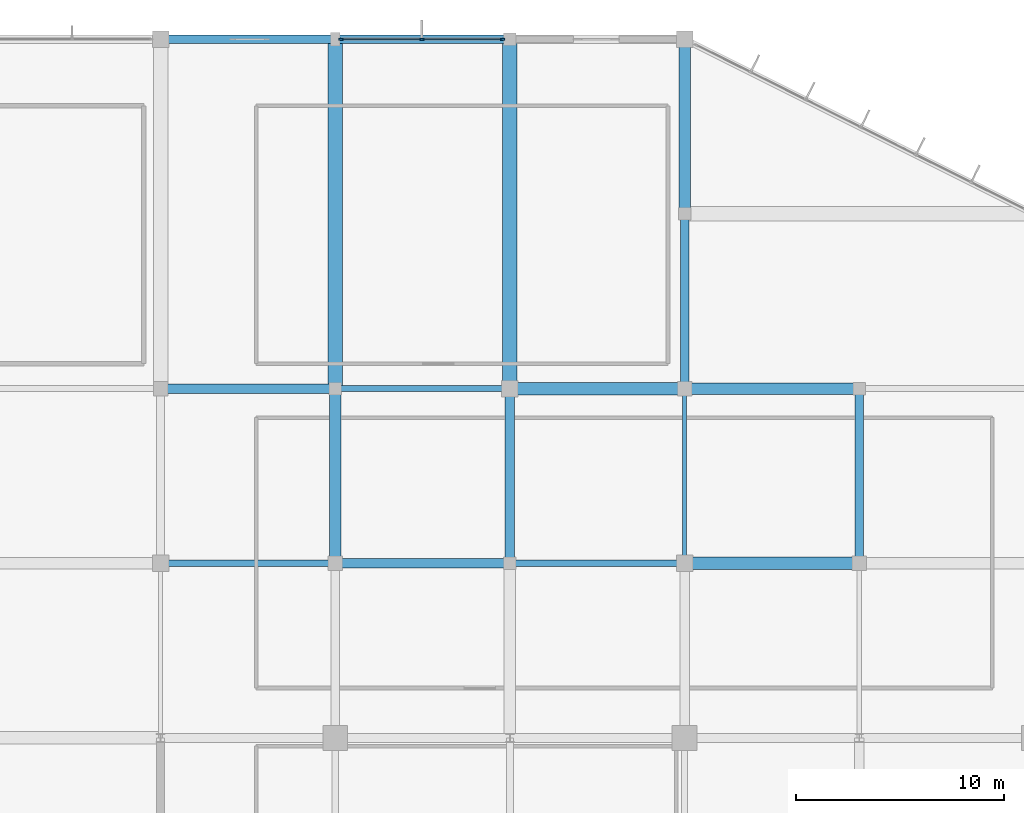
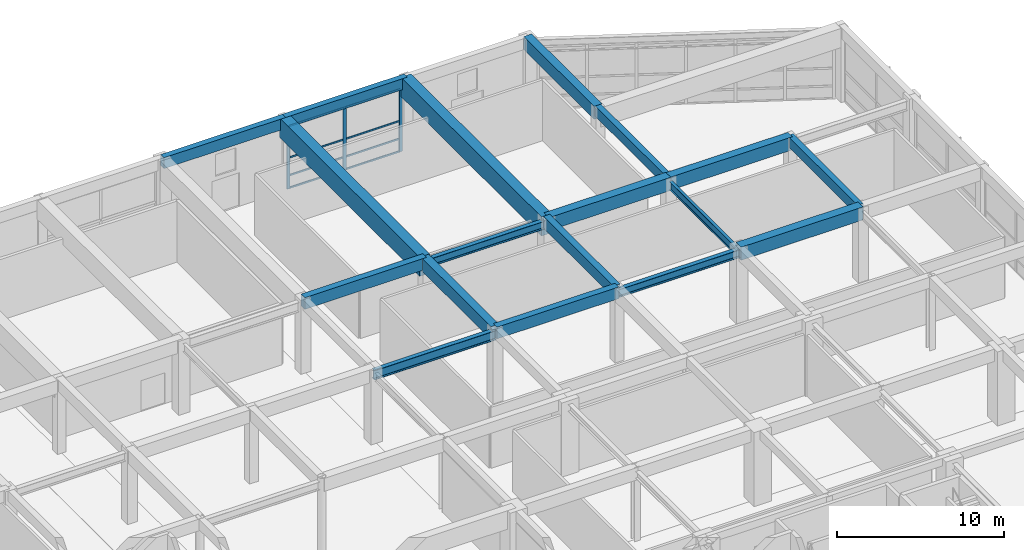
# One storey, part 34 of 62: 18 beams, 11 members, 1 element without a shape of its own.
"""IFC4 building model written with IfcOpenShell, lengths in metres."""

from ifc_helpers import new_model, si_unit, direction, frame, origin, origin_2d, place, context, subcontext, project, spatial, rectangle, i_section, extrude, material, material_profile, profile_set, type_object, element, aggregate, save


model = new_model("IFC4")

# Units and contexts
model_context = context("Model", 3, precision=1e-05, world=origin(), true_north=direction((0.0, 1.0)))
body_context = subcontext(model_context, "Body", "Model", "MODEL_VIEW")
ifc_project = project(units=[si_unit("LENGTHUNIT", "METRE"), si_unit("AREAUNIT", "SQUARE_METRE"), si_unit("VOLUMEUNIT", "CUBIC_METRE"), si_unit("PLANEANGLEUNIT", "RADIAN"), si_unit("MASSUNIT", "GRAM", prefix="KILO")], contexts=[model_context])

# Site, building, storey
site_placement = place(None, origin())
site = spatial("IfcSite", under=ifc_project, at=site_placement, CompositionType="ELEMENT")
building_placement = place(site_placement, origin())
building = spatial("IfcBuilding", under=site, at=building_placement, Name="Xuanlan Plaza Opera House", CompositionType="ELEMENT")
storey_placement = place(building_placement, origin())
storey = spatial("IfcBuildingStorey", under=building, at=storey_placement, Name="L00", CompositionType="ELEMENT", Elevation=0.0)

# Curtain wall, members
ifc_material_1 = material(Name="Anodised Aluminium 6063-T6 and Low-E Glass", Category="aluminium")
curtain_wall_type = type_object("IfcCurtainWallType", Name="ENV-CW-CW-02", PredefinedType="USERDEFINED", material=ifc_material_1)
curtain_wall_placement = place(storey_placement, origin())
curtain_wall = element("IfcCurtainWall", 1, at=curtain_wall_placement, inside=storey, type_object=curtain_wall_type, Name="Unitised Curtain Wall L00-032", ObjectType="UNITISED CURTAIN WALL", PredefinedType="USERDEFINED")
ifc_material_2 = material(Name="Anodised Aluminium 6063-T6", Category="aluminium")
ifc_material_profile_1 = material_profile(ifc_material_2, rectangle(XDim=0.080078125, YDim=0.219970703125, at=origin_2d()), Name="ALU-M 80x220")
ifc_profile_set_1 = profile_set([ifc_material_profile_1], Name="Anodised Aluminium 6063-T6")
member_type_1 = type_object("IfcMemberType", Name="ENV-CWM-04", PredefinedType="MULLION", material=ifc_profile_set_1)
member_1_placement = place(storey_placement, frame((142.43994140625, 117.60009765625, 0.0), z_axis=(0.0, 0.0, 1.0), x_axis=(0.0, -1.0, 0.0)))
member_1 = element("IfcMember", 2, at=member_1_placement, type_object=member_type_1, Name="CW-02 mullion 1", PredefinedType="MULLION", context=body_context, shape_type="SweptSolid", body=[
    extrude(rectangle(XDim=0.080078125, YDim=0.219970703125, at=origin_2d()), origin(), (0.0, 0.0, 1.0), 4.580078125),
])
member_2_placement = place(storey_placement, frame((138.5625, 117.60009765625, 0.0), z_axis=(0.0, 0.0, 1.0), x_axis=(0.0, -1.0, 0.0)))
member_2 = element("IfcMember", 3, at=member_2_placement, type_object=member_type_1, Name="CW-02 mullion 2", PredefinedType="MULLION", context=body_context, shape_type="SweptSolid", body=[
    extrude(rectangle(XDim=0.080078125, YDim=0.219970703125, at=origin_2d()), origin(), (0.0, 0.0, 1.0), 4.580078125),
])
member_3_placement = place(storey_placement, frame((134.68505859375, 117.60009765625, 0.0), z_axis=(0.0, 0.0, 1.0), x_axis=(0.0, -1.0, 0.0)))
member_3 = element("IfcMember", 4, at=member_3_placement, type_object=member_type_1, Name="CW-02 mullion 3", PredefinedType="MULLION", context=body_context, shape_type="SweptSolid", body=[
    extrude(rectangle(XDim=0.080078125, YDim=0.219970703125, at=origin_2d()), origin(), (0.0, 0.0, 1.0), 4.580078125),
])
ifc_material_profile_2 = material_profile(ifc_material_2, rectangle(XDim=0.06494140625, YDim=0.1201171875, at=origin_2d()), Name="ALU-T 65x120")
ifc_profile_set_2 = profile_set([ifc_material_profile_2], Name="Anodised Aluminium 6063-T6")
member_type_2 = type_object("IfcMemberType", Name="ENV-CWT-01", PredefinedType="USERDEFINED", material=ifc_profile_set_2)
member_4_placement = place(storey_placement, frame((142.39990234375, 117.60009765625, 0.032470703125), z_axis=(-1.0, 0.0, 0.0), x_axis=(0.0, -1.0, 0.0)))
member_4 = element("IfcMember", 5, at=member_4_placement, type_object=member_type_2, Name="CW-02 transom 1.1", ObjectType="TRANSOM", PredefinedType="USERDEFINED", context=body_context, shape_type="SweptSolid", body=[
    extrude(rectangle(XDim=0.06494140625, YDim=0.1201171875, at=origin_2d()), origin(), (0.0, 0.0, 1.0), 3.79736328125),
])
member_5_placement = place(storey_placement, frame((142.39990234375, 117.60009765625, 0.949951171875), z_axis=(-1.0, 0.0, 0.0), x_axis=(0.0, -1.0, 0.0)))
member_5 = element("IfcMember", 6, at=member_5_placement, type_object=member_type_2, Name="CW-02 transom 1.2", ObjectType="TRANSOM", PredefinedType="USERDEFINED", context=body_context, shape_type="SweptSolid", body=[
    extrude(rectangle(XDim=0.06494140625, YDim=0.1201171875, at=origin_2d()), origin(), (0.0, 0.0, 1.0), 3.79736328125),
])
member_6_placement = place(storey_placement, frame((142.39990234375, 117.60009765625, 2.25), z_axis=(-1.0, 0.0, 0.0), x_axis=(0.0, -1.0, 0.0)))
member_6 = element("IfcMember", 7, at=member_6_placement, type_object=member_type_2, Name="CW-02 transom 1.3", ObjectType="TRANSOM", PredefinedType="USERDEFINED", context=body_context, shape_type="SweptSolid", body=[
    extrude(rectangle(XDim=0.06494140625, YDim=0.1201171875, at=origin_2d()), origin(), (0.0, 0.0, 1.0), 3.79736328125),
])
member_7_placement = place(storey_placement, frame((142.39990234375, 117.60009765625, 4.547607421875), z_axis=(-1.0, 0.0, 0.0), x_axis=(0.0, -1.0, 0.0)))
member_7 = element("IfcMember", 8, at=member_7_placement, type_object=member_type_2, Name="CW-02 transom 1.4", ObjectType="TRANSOM", PredefinedType="USERDEFINED", context=body_context, shape_type="SweptSolid", body=[
    extrude(rectangle(XDim=0.06494140625, YDim=0.1201171875, at=origin_2d()), origin(), (0.0, 0.0, 1.0), 3.79736328125),
])
member_8_placement = place(storey_placement, frame((138.5224609375, 117.60009765625, 0.032470703125), z_axis=(-1.0, 0.0, 0.0), x_axis=(0.0, -1.0, 0.0)))
member_8 = element("IfcMember", 9, at=member_8_placement, type_object=member_type_2, Name="CW-02 transom 2.1", ObjectType="TRANSOM", PredefinedType="USERDEFINED", context=body_context, shape_type="SweptSolid", body=[
    extrude(rectangle(XDim=0.06494140625, YDim=0.1201171875, at=origin_2d()), origin(), (0.0, 0.0, 1.0), 3.79736328125),
])
member_9_placement = place(storey_placement, frame((138.5224609375, 117.60009765625, 0.949951171875), z_axis=(-1.0, 0.0, 0.0), x_axis=(0.0, -1.0, 0.0)))
member_9 = element("IfcMember", 10, at=member_9_placement, type_object=member_type_2, Name="CW-02 transom 2.2", ObjectType="TRANSOM", PredefinedType="USERDEFINED", context=body_context, shape_type="SweptSolid", body=[
    extrude(rectangle(XDim=0.06494140625, YDim=0.1201171875, at=origin_2d()), origin(), (0.0, 0.0, 1.0), 3.79736328125),
])
member_10_placement = place(storey_placement, frame((138.5224609375, 117.60009765625, 2.25), z_axis=(-1.0, 0.0, 0.0), x_axis=(0.0, -1.0, 0.0)))
member_10 = element("IfcMember", 11, at=member_10_placement, type_object=member_type_2, Name="CW-02 transom 2.3", ObjectType="TRANSOM", PredefinedType="USERDEFINED", context=body_context, shape_type="SweptSolid", body=[
    extrude(rectangle(XDim=0.06494140625, YDim=0.1201171875, at=origin_2d()), origin(), (0.0, 0.0, 1.0), 3.79736328125),
])
member_11_placement = place(storey_placement, frame((138.5224609375, 117.60009765625, 4.547607421875), z_axis=(-1.0, 0.0, 0.0), x_axis=(0.0, -1.0, 0.0)))
member_11 = element("IfcMember", 12, at=member_11_placement, type_object=member_type_2, Name="CW-02 transom 2.4", ObjectType="TRANSOM", PredefinedType="USERDEFINED", context=body_context, shape_type="SweptSolid", body=[
    extrude(rectangle(XDim=0.06494140625, YDim=0.1201171875, at=origin_2d()), origin(), (0.0, 0.0, 1.0), 3.79736328125),
])
aggregate(curtain_wall, [member_1, member_2, member_3, member_4, member_5, member_6, member_7, member_8, member_9, member_10, member_11])

# Beams
ifc_material_3 = material(Name="Concrete C50", Category="concrete")
ifc_material_profile_3 = material_profile(ifc_material_3, rectangle(XDim=0.60009765625, YDim=0.949951171875, at=origin_2d()), Name="RC-BM 600x950")
ifc_profile_set_3 = profile_set([ifc_material_profile_3], Name="Concrete C50")
beam_type_1 = type_object("IfcBeamType", Name="STR-BM-B-01", PredefinedType="BEAM", material=ifc_profile_set_3)
beam_1_placement = place(storey_placement, frame((151.199951171875, 92.39990234375, 4.925048828125), z_axis=(1.0, 0.0, 0.0), x_axis=(0.0, 1.0, 0.0)))
element("IfcBeam", 13, at=beam_1_placement, inside=storey, type_object=beam_type_1, Name="Grid Beam X L00 19-20/L", PredefinedType="BEAM", context=body_context, shape_type="SweptSolid", body=[
    extrude(rectangle(XDim=0.60009765625, YDim=0.949951171875, at=origin_2d()), origin(), (0.0, 0.0, 1.0), 8.400146484375),
])
beam_2_placement = place(storey_placement, frame((142.800048828125, 100.800048828125, 4.925048828125), z_axis=(1.0, 0.0, 0.0), x_axis=(0.0, 1.0, 0.0)))
element("IfcBeam", 14, at=beam_2_placement, inside=storey, type_object=beam_type_1, Name="Grid Beam X L00 18-19/M", PredefinedType="BEAM", context=body_context, shape_type="SweptSolid", body=[
    extrude(rectangle(XDim=0.60009765625, YDim=0.949951171875, at=origin_2d()), origin(), (0.0, 0.0, 1.0), 8.39990234375),
])
ifc_material_profile_4 = material_profile(ifc_material_3, rectangle(XDim=0.550048828125, YDim=0.949951171875, at=origin_2d()), Name="RC-BM 550x950")
ifc_profile_set_4 = profile_set([ifc_material_profile_4], Name="Concrete C50")
beam_type_2 = type_object("IfcBeamType", Name="STR-BM-B-02", PredefinedType="BEAM", material=ifc_profile_set_4)
for number, where, z_axis, x_axis, name in (
    (15, (151.199951171875, 100.800048828125, 4.925048828125), (1.0, 0.0, 0.0), (0.0, 1.0, 0.0), "Grid Beam X L00 19-20/M"),
    (16, (134.39990234375, 92.39990234375, 4.925048828125), (0.0, 1.0, 0.0), (-1.0, 0.0, 0.0), "Grid Beam Y L00 17/L-M"),
    (17, (151.199951171875, 109.199951171875, 4.925048828125), (0.0, 1.0, 0.0), (-1.0, 0.0, 0.0), "Grid Beam Y L00 19/N-O"),
):
    element("IfcBeam", number, at=place(storey_placement, frame(where, z_axis=z_axis, x_axis=x_axis)), inside=storey, type_object=beam_type_2, Name=name, PredefinedType="BEAM", context=body_context, shape_type="SweptSolid", body=[
        extrude(rectangle(XDim=0.550048828125, YDim=0.949951171875, at=origin_2d()), origin(), (0.0, 0.0, 1.0), 8.400146484375),
    ])
ifc_material_4 = material(Name="Concrete C40", Category="concrete")
ifc_material_profile_5 = material_profile(ifc_material_4, rectangle(XDim=0.449951171875, YDim=0.85009765625, at=origin_2d()), Name="RC-BM 450x850")
ifc_profile_set_5 = profile_set([ifc_material_profile_5], Name="Concrete C40")
beam_type_3 = type_object("IfcBeamType", Name="STR-BM-B-04", PredefinedType="BEAM", material=ifc_profile_set_5)
beam_3_placement = place(storey_placement, frame((134.39990234375, 92.39990234375, 4.97509765625), z_axis=(1.0, 0.0, 0.0), x_axis=(0.0, 1.0, 0.0)))
element("IfcBeam", 18, at=beam_3_placement, inside=storey, type_object=beam_type_3, Name="Grid Beam X L00 17-18/L", PredefinedType="BEAM", context=body_context, shape_type="SweptSolid", body=[
    extrude(rectangle(XDim=0.449951171875, YDim=0.85009765625, at=origin_2d()), origin(), (0.0, 0.0, 1.0), 8.400146484375),
])
beam_4_placement = place(storey_placement, frame((126.0, 100.800048828125, 4.97509765625), z_axis=(1.0, 0.0, 0.0), x_axis=(0.0, 1.0, 0.0)))
element("IfcBeam", 19, at=beam_4_placement, inside=storey, type_object=beam_type_3, Name="Grid Beam X L00 16-17/M", PredefinedType="BEAM", context=body_context, shape_type="SweptSolid", body=[
    extrude(rectangle(XDim=0.449951171875, YDim=0.85009765625, at=origin_2d()), origin(), (0.0, 0.0, 1.0), 8.39990234375),
])
beam_5_placement = place(storey_placement, frame((142.800048828125, 92.39990234375, 4.97509765625), z_axis=(0.0, 1.0, 0.0), x_axis=(-1.0, 0.0, 0.0)))
element("IfcBeam", 20, at=beam_5_placement, inside=storey, type_object=beam_type_3, Name="Grid Beam Y L00 18/L-M", PredefinedType="BEAM", context=body_context, shape_type="SweptSolid", body=[
    extrude(rectangle(XDim=0.449951171875, YDim=0.85009765625, at=origin_2d()), origin(), (0.0, 0.0, 1.0), 8.400146484375),
])
ifc_material_profile_6 = material_profile(ifc_material_4, rectangle(XDim=0.39990234375, YDim=0.75, at=origin_2d()), Name="RC-BM 400x750")
ifc_profile_set_6 = profile_set([ifc_material_profile_6], Name="Concrete C40")
beam_type_4 = type_object("IfcBeamType", Name="STR-BM-B-06", PredefinedType="BEAM", material=ifc_profile_set_6)
beam_6_placement = place(storey_placement, frame((151.199951171875, 100.800048828125, 5.02490234375), z_axis=(0.0, 1.0, 0.0), x_axis=(-1.0, 0.0, 0.0)))
element("IfcBeam", 21, at=beam_6_placement, inside=storey, type_object=beam_type_4, Name="Grid Beam Y L00 19/M-N", PredefinedType="BEAM", context=body_context, shape_type="SweptSolid", body=[
    extrude(rectangle(XDim=0.39990234375, YDim=0.75, at=origin_2d()), origin(), (0.0, 0.0, 1.0), 8.39990234375),
])
beam_7_placement = place(storey_placement, frame((159.60009765625, 92.39990234375, 5.02490234375), z_axis=(0.0, 1.0, 0.0), x_axis=(-1.0, 0.0, 0.0)))
element("IfcBeam", 22, at=beam_7_placement, inside=storey, type_object=beam_type_4, Name="Grid Beam Y L00 20/L-M", PredefinedType="BEAM", context=body_context, shape_type="SweptSolid", body=[
    extrude(rectangle(XDim=0.39990234375, YDim=0.75, at=origin_2d()), origin(), (0.0, 0.0, 1.0), 8.400146484375),
])
ifc_material_profile_7 = material_profile(ifc_material_3, rectangle(XDim=0.699951171875, YDim=1.39990234375, at=origin_2d()), Name="RC-LG 700x1400")
ifc_profile_set_7 = profile_set([ifc_material_profile_7], Name="Concrete C50")
beam_type_5 = type_object("IfcBeamType", Name="STR-BM-LG-01", PredefinedType="BEAM", material=ifc_profile_set_7)
for number, where, z_axis, x_axis, name in (
    (23, (134.39990234375, 100.800048828125, 4.699951171875), (0.0, 1.0, 0.0), (-1.0, 0.0, 0.0), "Grid Beam Y L00 17/M-O"),
    (24, (142.800048828125, 100.800048828125, 4.699951171875), (0.0, 1.0, 0.0), (-1.0, 0.0, 0.0), "Grid Beam Y L00 18/M-O"),
):
    element("IfcBeam", number, at=place(storey_placement, frame(where, z_axis=z_axis, x_axis=x_axis)), inside=storey, type_object=beam_type_5, Name=name, PredefinedType="BEAM", context=body_context, shape_type="SweptSolid", body=[
        extrude(rectangle(XDim=0.699951171875, YDim=1.39990234375, at=origin_2d()), origin(), (0.0, 0.0, 1.0), 16.800048828125),
    ])
ifc_material_5 = material(Name="Steel Q355B", Category="steel")
ifc_material_profile_8 = material_profile(ifc_material_5, i_section(OverallWidth=0.300048828125, OverallDepth=0.699951171875, WebThickness=0.012939453125, FlangeThickness=0.02392578125, FilletRadius=0.02392578125, at=origin_2d()), Name="HN 700x300x13x24")
ifc_profile_set_8 = profile_set([ifc_material_profile_8], Name="Steel Q355B")
beam_type_6 = type_object("IfcBeamType", Name="STR-BM-SB-03", PredefinedType="BEAM", material=ifc_profile_set_8)
beam_8_placement = place(storey_placement, frame((126.0, 92.39990234375, 4.784912109375), z_axis=(1.0, 0.0, 0.0), x_axis=(0.0, 1.0, 0.0)))
element("IfcBeam", 25, at=beam_8_placement, inside=storey, type_object=beam_type_6, Name="Grid Beam X L00 16-17/L", PredefinedType="BEAM", context=body_context, shape_type="SweptSolid", body=[
    extrude(i_section(OverallWidth=0.300048828125, OverallDepth=0.699951171875, WebThickness=0.012939453125, FlangeThickness=0.02392578125, FilletRadius=0.02392578125, at=origin_2d()), origin(), (0.0, 0.0, 1.0), 8.39990234375),
])
ifc_material_profile_9 = material_profile(ifc_material_5, i_section(OverallWidth=0.199951171875, OverallDepth=0.60009765625, WebThickness=0.010986328125, FlangeThickness=0.01708984375, FilletRadius=0.02197265625, at=origin_2d()), Name="HN 600x200x11x17")
ifc_profile_set_9 = profile_set([ifc_material_profile_9], Name="Steel Q355B")
beam_type_7 = type_object("IfcBeamType", Name="STR-BM-SB-04", PredefinedType="BEAM", material=ifc_profile_set_9)
beam_9_placement = place(storey_placement, frame((151.199951171875, 92.39990234375, 4.8349609375), z_axis=(0.0, 1.0, 0.0), x_axis=(-1.0, 0.0, 0.0)))
element("IfcBeam", 26, at=beam_9_placement, inside=storey, type_object=beam_type_7, Name="Grid Beam Y L00 19/L-M", PredefinedType="BEAM", context=body_context, shape_type="SweptSolid", body=[
    extrude(i_section(OverallWidth=0.199951171875, OverallDepth=0.60009765625, WebThickness=0.010986328125, FlangeThickness=0.01708984375, FilletRadius=0.02197265625, at=origin_2d()), origin(), (0.0, 0.0, 1.0), 8.400146484375),
])
ifc_material_profile_10 = material_profile(ifc_material_5, i_section(OverallWidth=0.300048828125, OverallDepth=0.587890625, WebThickness=0.011962890625, FlangeThickness=0.02001953125, FilletRadius=0.02392578125, at=origin_2d()), Name="HM 588x300x12x20")
ifc_profile_set_10 = profile_set([ifc_material_profile_10], Name="Steel Q355B")
beam_type_8 = type_object("IfcBeamType", Name="STR-BM-SB-06", PredefinedType="BEAM", material=ifc_profile_set_10)
beam_10_placement = place(storey_placement, frame((142.800048828125, 92.39990234375, 4.841064453125), z_axis=(1.0, 0.0, 0.0), x_axis=(0.0, 1.0, 0.0)))
element("IfcBeam", 27, at=beam_10_placement, inside=storey, type_object=beam_type_8, Name="Grid Beam X L00 18-19/L", PredefinedType="BEAM", context=body_context, shape_type="SweptSolid", body=[
    extrude(i_section(OverallWidth=0.300048828125, OverallDepth=0.587890625, WebThickness=0.011962890625, FlangeThickness=0.02001953125, FilletRadius=0.02392578125, at=origin_2d()), origin(), (0.0, 0.0, 1.0), 8.39990234375),
])
beam_11_placement = place(storey_placement, frame((134.39990234375, 100.800048828125, 4.841064453125), z_axis=(1.0, 0.0, 0.0), x_axis=(0.0, 1.0, 0.0)))
element("IfcBeam", 28, at=beam_11_placement, inside=storey, type_object=beam_type_8, Name="Grid Beam X L00 17-18/M", PredefinedType="BEAM", context=body_context, shape_type="SweptSolid", body=[
    extrude(i_section(OverallWidth=0.300048828125, OverallDepth=0.587890625, WebThickness=0.011962890625, FlangeThickness=0.02001953125, FilletRadius=0.02392578125, at=origin_2d()), origin(), (0.0, 0.0, 1.0), 8.400146484375),
])
ifc_material_profile_11 = material_profile(ifc_material_4, rectangle(XDim=0.39990234375, YDim=0.800048828125, at=origin_2d()), Name="RC-SPD 400x800")
ifc_profile_set_11 = profile_set([ifc_material_profile_11], Name="Concrete C40")
beam_type_9 = type_object("IfcBeamType", Name="STR-BM-SP-01", PredefinedType="SPANDREL", material=ifc_profile_set_11)
beam_12_placement = place(storey_placement, frame((126.0, 117.60009765625, 5.0), z_axis=(1.0, 0.0, 0.0), x_axis=(0.0, 1.0, 0.0)))
element("IfcBeam", 29, at=beam_12_placement, inside=storey, type_object=beam_type_9, Name="Grid Beam X L00 16-17/O", PredefinedType="SPANDREL", context=body_context, shape_type="SweptSolid", body=[
    extrude(rectangle(XDim=0.39990234375, YDim=0.800048828125, at=origin_2d()), origin(), (0.0, 0.0, 1.0), 8.39990234375),
])
beam_13_placement = place(storey_placement, frame((134.39990234375, 117.60009765625, 5.0), z_axis=(1.0, 0.0, 0.0), x_axis=(0.0, 1.0, 0.0)))
element("IfcBeam", 30, at=beam_13_placement, inside=storey, type_object=beam_type_9, Name="Grid Beam X L00 17-18/O", PredefinedType="SPANDREL", context=body_context, shape_type="SweptSolid", body=[
    extrude(rectangle(XDim=0.39990234375, YDim=0.800048828125, at=origin_2d()), origin(), (0.0, 0.0, 1.0), 8.400146484375),
])

save(model, "model.ifc")
